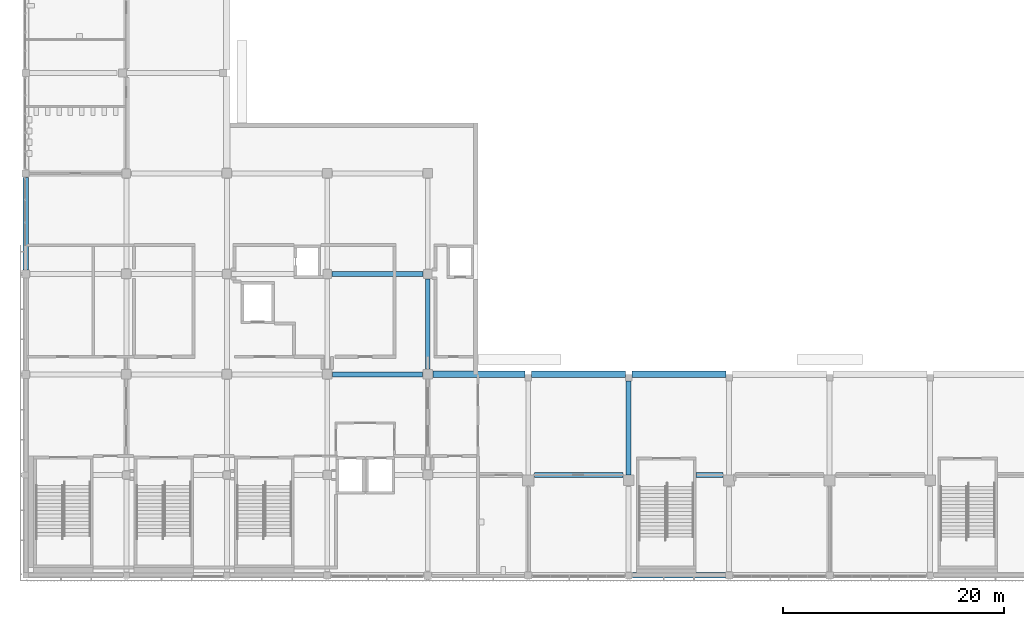
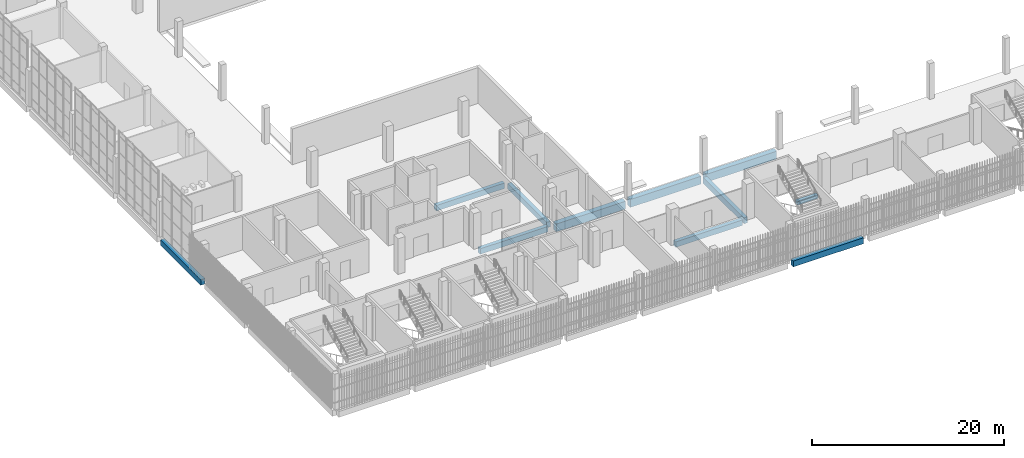
# One storey, part 9 of 126: 11 beams.
"""IFC4 building model written with IfcOpenShell, lengths in metres."""

from ifc_helpers import new_model, si_unit, direction, frame, origin, origin_2d, place, context, subcontext, project, spatial, rectangle, extrude, material, material_profile, profile_set, type_object, element, save


model = new_model("IFC4")

# Units and contexts
model_context = context("Model", 3, precision=1e-05, world=origin(), true_north=direction((0.0, 1.0)))
body_context = subcontext(model_context, "Body", "Model", "MODEL_VIEW")
ifc_project = project(units=[si_unit("LENGTHUNIT", "METRE"), si_unit("AREAUNIT", "SQUARE_METRE"), si_unit("VOLUMEUNIT", "CUBIC_METRE"), si_unit("PLANEANGLEUNIT", "RADIAN"), si_unit("MASSUNIT", "GRAM", prefix="KILO")], contexts=[model_context])

# Site, building, storey
site_placement = place(None, origin())
site = spatial("IfcSite", under=ifc_project, at=site_placement, CompositionType="ELEMENT")
building_placement = place(site_placement, origin())
building = spatial("IfcBuilding", under=site, at=building_placement, Name="Shirokan Park Arena", CompositionType="ELEMENT")
storey_placement = place(building_placement, frame((0.0, 0.0, 6.3701171875)))
storey = spatial("IfcBuildingStorey", under=building, at=storey_placement, Name="L01", CompositionType="ELEMENT", Elevation=6.3701171875)

# Beams
ifc_material = material(Name="Concrete C35", Category="concrete")
ifc_material_profile_1 = material_profile(ifc_material, rectangle(XDim=0.449951171875, YDim=0.699951171875, at=origin_2d()), Name="450x700")
ifc_profile_set_1 = profile_set([ifc_material_profile_1], Name="Concrete C35")
beam_type_1 = type_object("IfcBeamType", Name="RC girder 450x700", PredefinedType="BEAM", material=ifc_profile_set_1)
beam_1_placement = place(storey_placement, frame((27.775146484375, 18.199951171875, -0.7001953125), z_axis=(1.0, 0.0, 0.0), x_axis=(0.0, 1.0, 0.0)))
element("IfcBeam", 1, at=beam_1_placement, inside=storey, type_object=beam_type_1, Name="Girder 4C-5C L01", PredefinedType="BEAM", context=body_context, shape_type="SweptSolid", body=[
    extrude(rectangle(XDim=0.449951171875, YDim=0.699951171875, at=origin_2d()), origin(), (0.0, 0.0, 1.0), 8.149658203125),
])
beam_2_placement = place(storey_placement, frame((27.75, 27.300048828125, -0.7001953125), z_axis=(1.0, 0.0, 0.0), x_axis=(0.0, 1.0, 0.0)))
element("IfcBeam", 2, at=beam_2_placement, inside=storey, type_object=beam_type_1, Name="Girder 4D-5D L01", PredefinedType="BEAM", context=body_context, shape_type="SweptSolid", body=[
    extrude(rectangle(XDim=0.449951171875, YDim=0.699951171875, at=origin_2d()), origin(), (0.0, 0.0, 1.0), 8.199951171875),
])
beam_3_placement = place(storey_placement, frame((46.050048828125, 9.10009765625, -0.7001953125), z_axis=(1.0, 0.0, 0.0), x_axis=(0.0, 1.0, 0.0)))
element("IfcBeam", 3, at=beam_3_placement, inside=storey, type_object=beam_type_1, Name="Girder 6B-7B L01", PredefinedType="BEAM", context=body_context, shape_type="SweptSolid", body=[
    extrude(rectangle(XDim=0.449951171875, YDim=0.699951171875, at=origin_2d()), origin(), (0.0, 0.0, 1.0), 8.02490234375),
])
beam_4_placement = place(storey_placement, frame((36.39990234375, 18.675048828125, -0.7001953125), z_axis=(0.0, 1.0, 0.0), x_axis=(-1.0, 0.0, 0.0)))
element("IfcBeam", 4, at=beam_4_placement, inside=storey, type_object=beam_type_1, Name="Girder 5C-5D L01", PredefinedType="BEAM", context=body_context, shape_type="SweptSolid", body=[
    extrude(rectangle(XDim=0.449951171875, YDim=0.699951171875, at=origin_2d()), origin(), (0.0, 0.0, 1.0), 8.1748046875),
])
ifc_material_profile_2 = material_profile(ifc_material, rectangle(XDim=0.449951171875, YDim=0.75, at=origin_2d()), Name="450x750")
ifc_profile_set_2 = profile_set([ifc_material_profile_2], Name="Concrete C35")
beam_type_2 = type_object("IfcBeamType", Name="RC girder 450x750", PredefinedType="BEAM", material=ifc_profile_set_2)
beam_5_placement = place(storey_placement, frame((54.60009765625, 9.10009765625, -0.72509765625), z_axis=(0.0, 1.0, 0.0), x_axis=(-1.0, 0.0, 0.0)))
element("IfcBeam", 5, at=beam_5_placement, inside=storey, type_object=beam_type_2, Name="Girder 7B-7C L01", PredefinedType="BEAM", context=body_context, shape_type="SweptSolid", body=[
    extrude(rectangle(XDim=0.449951171875, YDim=0.75, at=origin_2d()), origin(), (0.0, 0.0, 1.0), 8.499755859375),
])
ifc_material_profile_3 = material_profile(ifc_material, rectangle(XDim=0.5, YDim=0.699951171875, at=origin_2d()), Name="500x700")
ifc_profile_set_3 = profile_set([ifc_material_profile_3], Name="Concrete C35")
beam_type_3 = type_object("IfcBeamType", Name="RC girder 500x700", PredefinedType="BEAM", material=ifc_profile_set_3)
beam_6_placement = place(storey_placement, frame((0.0, 27.675048828125, -0.7001953125), z_axis=(0.0, 1.0, 0.0), x_axis=(-1.0, 0.0, 0.0)))
element("IfcBeam", 6, at=beam_6_placement, inside=storey, type_object=beam_type_3, Name="Girder 1D-1E L01", PredefinedType="BEAM", context=body_context, shape_type="SweptSolid", body=[
    extrude(rectangle(XDim=0.5, YDim=0.699951171875, at=origin_2d()), origin(), (0.0, 0.0, 1.0), 8.374755859375),
])
ifc_material_profile_4 = material_profile(ifc_material, rectangle(XDim=0.5, YDim=0.75, at=origin_2d()), Name="500x750")
ifc_profile_set_4 = profile_set([ifc_material_profile_4], Name="Concrete C35")
beam_type_4 = type_object("IfcBeamType", Name="RC girder 500x750", PredefinedType="BEAM", material=ifc_profile_set_4)
beam_7_placement = place(storey_placement, frame((54.925048828125, 0.0, -0.72509765625), z_axis=(1.0, 0.0, 0.0), x_axis=(0.0, 1.0, 0.0)))
element("IfcBeam", 7, at=beam_7_placement, inside=storey, type_object=beam_type_4, Name="Girder 7A-8A L01", PredefinedType="BEAM", context=body_context, shape_type="SweptSolid", body=[
    extrude(rectangle(XDim=0.5, YDim=0.75, at=origin_2d()), origin(), (0.0, 0.0, 1.0), 8.4248046875),
])
ifc_material_profile_5 = material_profile(ifc_material, rectangle(XDim=0.60009765625, YDim=1.0, at=origin_2d()), Name="600x1000")
ifc_profile_set_5 = profile_set([ifc_material_profile_5], Name="Concrete C35")
beam_type_5 = type_object("IfcBeamType", Name="RC girder 600x1000", PredefinedType="BEAM", material=ifc_profile_set_5)
beam_8_placement = place(storey_placement, frame((36.875, 18.199951171875, -0.85009765625), z_axis=(1.0, 0.0, 0.0), x_axis=(0.0, 1.0, 0.0)))
element("IfcBeam", 8, at=beam_8_placement, inside=storey, type_object=beam_type_5, Name="Girder 5C-6C L01", PredefinedType="BEAM", context=body_context, shape_type="SweptSolid", body=[
    extrude(rectangle(XDim=0.60009765625, YDim=1.0, at=origin_2d()), origin(), (0.0, 0.0, 1.0), 8.324951171875),
])
for number, where, z_axis, x_axis, name in (
    (9, (45.800048828125, 18.199951171875, -0.85009765625), (1.0, 0.0, 0.0), (0.0, 1.0, 0.0), "Girder 6C-7C L01"),
    (10, (54.900146484375, 18.199951171875, -0.85009765625), (1.0, 0.0, 0.0), (0.0, 1.0, 0.0), "Girder 7C-8C L01"),
):
    element("IfcBeam", number, at=place(storey_placement, frame(where, z_axis=z_axis, x_axis=x_axis)), inside=storey, type_object=beam_type_5, Name=name, PredefinedType="BEAM", context=body_context, shape_type="SweptSolid", body=[
        extrude(rectangle(XDim=0.60009765625, YDim=1.0, at=origin_2d()), origin(), (0.0, 0.0, 1.0), 8.499755859375),
    ])
ifc_material_profile_6 = material_profile(ifc_material, rectangle(XDim=0.449951171875, YDim=0.449951171875, at=origin_2d()), Name="450x450")
ifc_profile_set_6 = profile_set([ifc_material_profile_6], Name="Concrete C35")
beam_type_6 = type_object("IfcBeamType", Name="RC trimmer 450x450", PredefinedType="BEAM", material=ifc_profile_set_6)
beam_9_placement = place(storey_placement, frame((60.699951171875, 9.10009765625, -0.5751953125), z_axis=(1.0, 0.0, 0.0), x_axis=(0.0, 1.0, 0.0)))
element("IfcBeam", 11, at=beam_9_placement, inside=storey, type_object=beam_type_6, Name="Girder 7B-8B L01", PredefinedType="BEAM", context=body_context, shape_type="SweptSolid", body=[
    extrude(rectangle(XDim=0.449951171875, YDim=0.449951171875, at=origin_2d()), origin(), (0.0, 0.0, 1.0), 2.449951171875),
])

save(model, "model.ifc")
